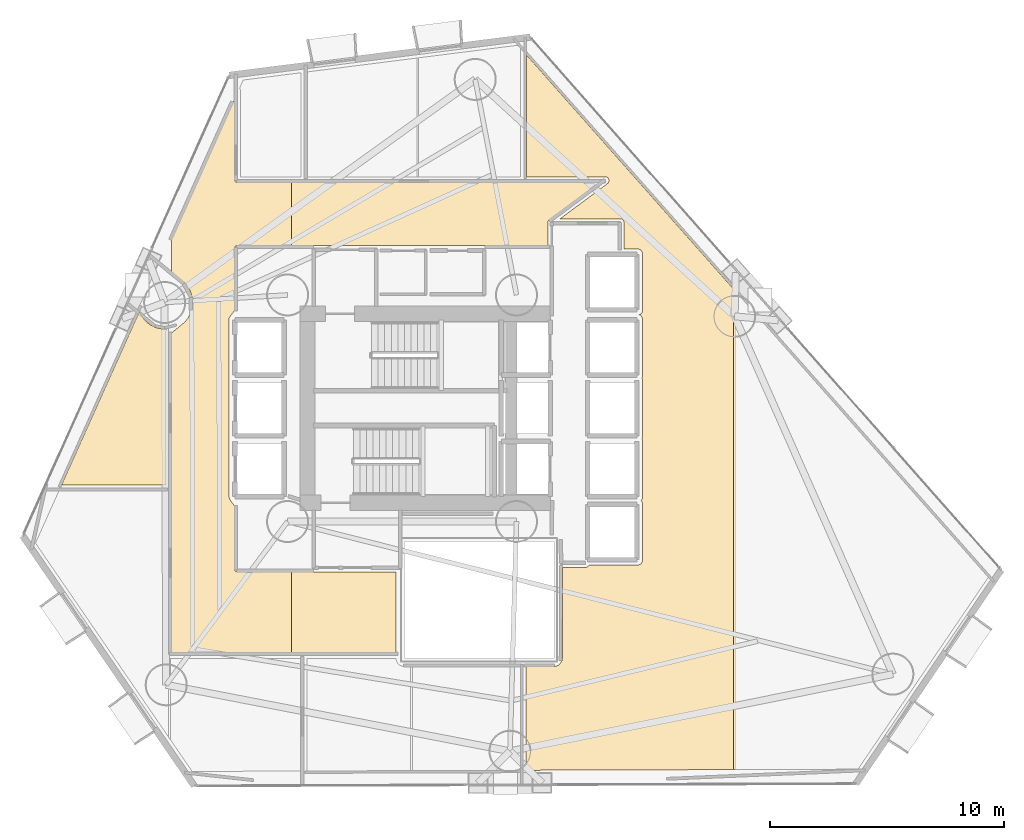
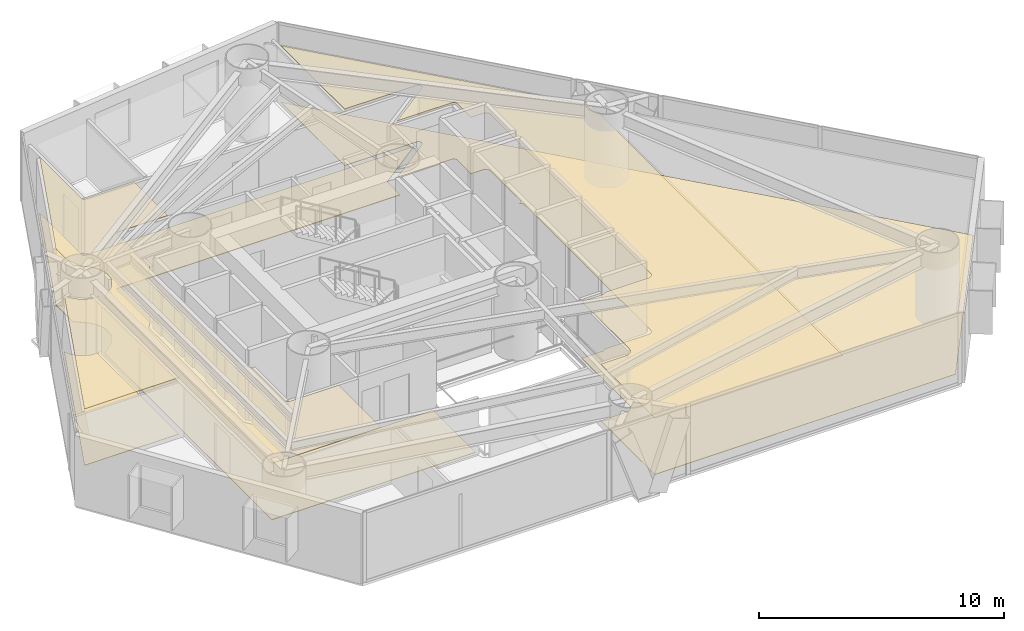
# One storey, part 20 of 22: 6 coverings.
"""IFC4 building model written with IfcOpenShell, lengths in metres."""

from ifc_helpers import new_model, si_unit, direction, frame, origin, place, context, subcontext, project, spatial, polyline, outline, extrude, material, layer, layer_set, type_object, element, save


model = new_model("IFC4")

# Units and contexts
model_context = context("Model", 3, precision=1e-05, world=origin(), true_north=direction((0.0, 1.0)))
body_context = subcontext(model_context, "Body", "Model", "MODEL_VIEW")
ifc_project = project(units=[si_unit("LENGTHUNIT", "METRE"), si_unit("AREAUNIT", "SQUARE_METRE"), si_unit("VOLUMEUNIT", "CUBIC_METRE"), si_unit("PLANEANGLEUNIT", "RADIAN"), si_unit("MASSUNIT", "GRAM", prefix="KILO")], contexts=[model_context])

# Site, building, storey
site_placement = place(None, origin())
site = spatial("IfcSite", under=ifc_project, at=site_placement, CompositionType="ELEMENT")
building_placement = place(site_placement, origin())
building = spatial("IfcBuilding", under=site, at=building_placement, Name="Qianvela Tower", CompositionType="ELEMENT")
storey_placement = place(building_placement, frame((0.0, 0.0, 40.5)))
storey = spatial("IfcBuildingStorey", under=building, at=storey_placement, Name="L09", CompositionType="ELEMENT", Elevation=40.5)

# Coverings
ifc_material_1 = material(Name="Perforated Mineral Acoustic Ceiling Tile")
ifc_layer_1 = layer(ifc_material_1, 0.02490234375)
ifc_layer_set_1 = layer_set([ifc_layer_1], Name="Perforated Mineral Acoustic Ceiling Tile")
covering_type_1 = type_object("IfcCoveringType", Name="COV-CEIL-ACOUSTIC-25", PredefinedType="CEILING", material=ifc_layer_set_1)
covering_1_placement = place(storey_placement, frame((0.0, 0.0, 2.81494140625)))
element("IfcCovering", 1, at=covering_1_placement, inside=storey, type_object=covering_type_1, Name="L09 Acoustic Ceiling Bay 1 L09 Floor Corridor", PredefinedType="CEILING", context=body_context, shape_type="SweptSolid", body=[
    extrude(outline(polyline([(24.514892578125, 33.462158203125), (24.512939453125, 33.4697265625), (24.44921875, 33.6796875), (24.44677734375, 33.687255859375), (24.443359375, 33.6943359375), (24.33984375, 33.887939453125), (24.335693359375, 33.894775390625), (24.3310546875, 33.90087890625), (24.19189453125, 34.07080078125), (24.1865234375, 34.076416015625), (24.1806640625, 34.081787109375), (23.635498046875, 34.529296875), (23.630126953125, 35.904541015625), (26.340087890625, 41.94580078125), (26.340087890625, 38.449951171875), (26.34033203125, 38.442138671875), (26.341552734375, 38.434326171875), (26.343505859375, 38.4267578125), (26.34619140625, 38.41943359375), (26.349365234375, 38.412353515625), (26.353515625, 38.405517578125), (26.358154296875, 38.399169921875), (26.36328125, 38.393310546875), (26.369140625, 38.38818359375), (26.37548828125, 38.383544921875), (26.38232421875, 38.37939453125), (26.389404296875, 38.376220703125), (26.396728515625, 38.373291015625), (26.404296875, 38.37158203125), (26.412109375, 38.370361328125), (26.419921875, 38.3701171875), (28.77392578125, 38.3701171875), (28.77392578125, 35.659912109375), (26.419921875, 35.659912109375), (26.412109375, 35.65966796875), (26.404296875, 35.658447265625), (26.396728515625, 35.656494140625), (26.389404296875, 35.65380859375), (26.38232421875, 35.650634765625), (26.37548828125, 35.646484375), (26.369140625, 35.641845703125), (26.36328125, 35.63671875), (26.358154296875, 35.630859375), (26.353515625, 35.62451171875), (26.349365234375, 35.61767578125), (26.34619140625, 35.610595703125), (26.343505859375, 35.603271484375), (26.341552734375, 35.595703125), (26.34033203125, 35.587890625), (26.340087890625, 35.580078125), (26.340087890625, 32.89599609375), (26.11572265625, 32.593505859375), (26.11181640625, 32.587646484375), (26.108154296875, 32.581298828125), (26.105224609375, 32.574462890625), (26.10302734375, 32.567626953125), (26.101318359375, 32.560546875), (26.100341796875, 32.55322265625), (26.10009765625, 32.5458984375), (26.10009765625, 24.89990234375), (26.100341796875, 24.89208984375), (26.1015625, 24.884521484375), (26.103515625, 24.876708984375), (26.126953125, 24.799072265625), (26.12939453125, 24.79248046875), (26.132080078125, 24.786376953125), (26.135498046875, 24.7802734375), (26.139404296875, 24.774658203125), (26.340087890625, 24.50390625), (26.340087890625, 21.780029296875), (26.34033203125, 21.772216796875), (26.341552734375, 21.764404296875), (26.343505859375, 21.7568359375), (26.34619140625, 21.74951171875), (26.349365234375, 21.7421875), (26.353515625, 21.735595703125), (26.358154296875, 21.729248046875), (26.36328125, 21.723388671875), (26.369140625, 21.71826171875), (26.37548828125, 21.71337890625), (26.38232421875, 21.70947265625), (26.389404296875, 21.7060546875), (26.396728515625, 21.703369140625), (26.404296875, 21.701416015625), (26.412109375, 21.700439453125), (26.419921875, 21.699951171875), (28.77392578125, 21.699951171875), (28.77392578125, 18.22998046875), (23.6298828125, 18.22998046875), (23.6298828125, 31.922119140625), (24.1806640625, 32.374267578125), (24.1865234375, 32.37939453125), (24.19189453125, 32.38525390625), (24.3310546875, 32.554931640625), (24.335693359375, 32.561279296875), (24.33984375, 32.568115234375), (24.49609375, 32.8603515625), (24.49951171875, 32.867431640625), (24.502197265625, 32.875), (24.50390625, 32.882568359375), (24.505126953125, 32.890380859375), (24.53759765625, 33.22021484375), (24.5380859375, 33.22802734375), (24.53759765625, 33.23583984375), (24.51611328125, 33.454345703125), (24.514892578125, 33.462158203125)])), origin(), (0.0, 0.0, 1.0), 0.025146484375),
])
covering_2_placement = place(storey_placement, frame((0.0, 0.0, 2.81494140625)))
element("IfcCovering", 2, at=covering_2_placement, inside=storey, type_object=covering_type_1, Name="L09 Acoustic Ceiling Bay 1 Quiet Reading Study L09-03", PredefinedType="CEILING", context=body_context, shape_type="SweptSolid", body=[
    extrude(outline(polyline([(43.722412109375, 32.739013671875), (43.729248046875, 32.74267578125), (43.73583984375, 32.746826171875), (43.741943359375, 32.751953125), (43.74755859375, 32.757568359375), (43.75244140625, 32.763427734375), (43.7568359375, 32.77001953125), (43.760498046875, 32.777099609375), (43.763427734375, 32.7841796875), (43.79541015625, 32.873046875), (43.79736328125, 32.879638671875), (43.798828125, 32.886474609375), (43.7998046875, 32.893310546875), (43.800048828125, 32.900146484375), (43.79736328125, 35.327392578125), (43.796875, 35.3359375), (43.79541015625, 35.344482421875), (43.793212890625, 35.352783203125), (43.7900390625, 35.36083984375), (43.785888671875, 35.368408203125), (43.7373046875, 35.44921875), (43.732666015625, 35.456298828125), (43.727294921875, 35.462890625), (43.72119140625, 35.46875), (43.71435546875, 35.47412109375), (43.70703125, 35.478515625), (43.699462890625, 35.482177734375), (43.624267578125, 35.51318359375), (43.616943359375, 35.515869140625), (43.609375, 35.517822265625), (43.6015625, 35.518798828125), (43.59375, 35.519287109375), (43.0, 35.52001953125), (43.010009765625, 36.6494140625), (43.009765625, 36.6572265625), (43.008544921875, 36.6650390625), (43.006591796875, 36.6728515625), (43.00390625, 36.680419921875), (43.00048828125, 36.6875), (42.99658203125, 36.6943359375), (42.947021484375, 36.768310546875), (42.9423828125, 36.774658203125), (42.937255859375, 36.780517578125), (42.931396484375, 36.78564453125), (42.925048828125, 36.790283203125), (42.91845703125, 36.79443359375), (42.911376953125, 36.7978515625), (42.904052734375, 36.80029296875), (42.896484375, 36.80224609375), (42.888671875, 36.803466796875), (42.880859375, 36.803955078125), (40.26220703125, 36.8095703125), (42.298583984375, 38.321533203125), (42.3046875, 38.32666015625), (42.310302734375, 38.332275390625), (42.315185546875, 38.33837890625), (42.319580078125, 38.34521484375), (42.323486328125, 38.352294921875), (42.35546875, 38.422119140625), (42.3583984375, 38.42919921875), (42.360595703125, 38.436279296875), (42.362060546875, 38.44384765625), (42.36279296875, 38.451416015625), (42.36279296875, 38.458984375), (42.362060546875, 38.466552734375), (42.360595703125, 38.47412109375), (42.358642578125, 38.4814453125), (42.355712890625, 38.488525390625), (42.352294921875, 38.4951171875), (42.317626953125, 38.5556640625), (42.313720703125, 38.56201171875), (42.30908203125, 38.568115234375), (42.3037109375, 38.57373046875), (42.298095703125, 38.57861328125), (42.291748046875, 38.5830078125), (42.28515625, 38.5869140625), (42.2783203125, 38.590087890625), (42.27099609375, 38.5927734375), (42.263671875, 38.594482421875), (42.256103515625, 38.595703125), (42.24853515625, 38.595947265625), (38.822021484375, 38.609619140625), (38.822021484375, 43.83349609375), (47.68212890625, 33.814208984375), (47.68212890625, 13.230224609375), (38.800048828125, 13.2001953125), (38.800048828125, 17.64013671875), (40.027587890625, 17.641357421875), (40.03662109375, 17.641845703125), (40.045654296875, 17.643310546875), (40.054443359375, 17.64599609375), (40.1826171875, 17.69189453125), (40.189208984375, 17.694580078125), (40.195556640625, 17.697998046875), (40.20166015625, 17.701904296875), (40.207275390625, 17.706298828125), (40.212646484375, 17.711181640625), (40.21728515625, 17.71630859375), (40.320556640625, 17.842041015625), (40.3251953125, 17.848388671875), (40.3291015625, 17.85498046875), (40.33251953125, 17.8623046875), (40.335205078125, 17.86962890625), (40.337158203125, 17.877197265625), (40.3583984375, 17.984375), (40.359619140625, 17.9921875), (40.360107421875, 18.0), (40.360107421875, 21.889892578125), (41.367919921875, 21.890380859375), (41.375732421875, 21.890869140625), (41.383544921875, 21.891845703125), (41.39111328125, 21.893798828125), (41.3984375, 21.896484375), (41.405517578125, 21.89990234375), (41.45947265625, 21.9287109375), (41.46630859375, 21.932861328125), (41.472900390625, 21.9375), (41.478759765625, 21.943115234375), (41.48388671875, 21.948974609375), (41.48876953125, 21.955322265625), (41.492919921875, 21.96240234375), (41.49609375, 21.969482421875), (41.498779296875, 21.97705078125), (41.49951171875, 21.97998046875), (43.59375, 21.980712890625), (43.6025390625, 21.981201171875), (43.611328125, 21.982666015625), (43.619873046875, 21.985107421875), (43.6279296875, 21.98828125), (43.713134765625, 22.02880859375), (43.72021484375, 22.032470703125), (43.726806640625, 22.03662109375), (43.732666015625, 22.041748046875), (43.73828125, 22.04736328125), (43.743408203125, 22.05322265625), (43.74755859375, 22.059814453125), (43.751220703125, 22.06689453125), (43.79150390625, 22.152099609375), (43.794921875, 22.16015625), (43.79736328125, 22.168701171875), (43.798828125, 22.177490234375), (43.79931640625, 22.186279296875), (43.800048828125, 24.60009765625), (43.7998046875, 24.606689453125), (43.798828125, 24.61376953125), (43.79736328125, 24.620361328125), (43.79541015625, 24.626953125), (43.763427734375, 24.7158203125), (43.760498046875, 24.722900390625), (43.7568359375, 24.72998046875), (43.75244140625, 24.736572265625), (43.74755859375, 24.742431640625), (43.741943359375, 24.748046875), (43.73583984375, 24.753173828125), (43.735107421875, 24.753662109375), (43.7783203125, 24.811767578125), (43.782958984375, 24.81884765625), (43.786865234375, 24.826416015625), (43.789794921875, 24.834228515625), (43.7919921875, 24.84228515625), (43.79345703125, 24.8505859375), (43.7939453125, 24.859130859375), (43.800048828125, 27.2998046875), (43.799560546875, 27.307861328125), (43.79833984375, 27.315673828125), (43.79638671875, 27.323486328125), (43.793701171875, 27.3310546875), (43.7646484375, 27.39990234375), (43.793701171875, 27.468994140625), (43.79638671875, 27.476318359375), (43.79833984375, 27.484130859375), (43.799560546875, 27.491943359375), (43.800048828125, 27.5), (43.800048828125, 29.89990234375), (43.799560546875, 29.907958984375), (43.79833984375, 29.915771484375), (43.79638671875, 29.923583984375), (43.793701171875, 29.93115234375), (43.7646484375, 30.0), (43.793701171875, 30.06884765625), (43.79638671875, 30.076416015625), (43.79833984375, 30.084228515625), (43.799560546875, 30.092041015625), (43.800048828125, 30.10009765625), (43.79736328125, 32.52734375), (43.796875, 32.535888671875), (43.79541015625, 32.54443359375), (43.793212890625, 32.552734375), (43.7900390625, 32.560791015625), (43.785888671875, 32.568359375), (43.7373046875, 32.6494140625), (43.732666015625, 32.656494140625), (43.727294921875, 32.662841796875), (43.72119140625, 32.668701171875), (43.71435546875, 32.674072265625), (43.70703125, 32.678466796875), (43.699462890625, 32.68212890625), (43.647705078125, 32.70361328125), (43.722412109375, 32.739013671875)])), origin(), (0.0, 0.0, 1.0), 0.025146484375),
])
covering_3_placement = place(storey_placement, frame((0.0, 0.0, 2.81494140625)))
element("IfcCovering", 3, at=covering_3_placement, inside=storey, type_object=covering_type_1, Name="L09 Acoustic Ceiling Print Copy Kiosk L09-06", PredefinedType="CEILING", context=body_context, shape_type="SweptSolid", body=[
    extrude(outline(polyline([(23.448486328125, 32.083740234375), (23.442626953125, 32.07861328125), (23.4375, 32.07275390625), (23.4326171875, 32.06640625), (23.4287109375, 32.0595703125), (23.39990234375, 32.005615234375), (23.396484375, 31.99853515625), (23.393798828125, 31.9912109375), (23.391845703125, 31.9833984375), (23.390869140625, 31.975830078125), (23.390380859375, 31.968017578125), (23.389892578125, 25.422119140625), (18.927978515625, 25.422119140625), (22.266357421875, 32.864501953125), (22.281005859375, 32.8037109375), (22.28271484375, 32.797119140625), (22.28515625, 32.790771484375), (22.2880859375, 32.78466796875), (22.385986328125, 32.601318359375), (22.39013671875, 32.594482421875), (22.394775390625, 32.58837890625), (22.526611328125, 32.427734375), (22.531982421875, 32.421875), (22.53759765625, 32.41650390625), (22.6982421875, 32.284912109375), (22.70458984375, 32.280029296875), (22.71142578125, 32.276123046875), (22.89453125, 32.177978515625), (22.901611328125, 32.1748046875), (22.9091796875, 32.172119140625), (23.10791015625, 32.11181640625), (23.115478515625, 32.10986328125), (23.123291015625, 32.10888671875), (23.330078125, 32.08837890625), (23.337890625, 32.087890625), (23.345703125, 32.08837890625), (23.468994140625, 32.1005859375), (23.448486328125, 32.083740234375)])), origin(), (0.0, 0.0, 1.0), 0.025146484375),
])
ifc_material_2 = material(Name="Engineered Acoustic Oak Timber Flooring", Category="wood")
ifc_layer_2 = layer(ifc_material_2, 0.02001953125)
ifc_layer_set_2 = layer_set([ifc_layer_2], Name="Engineered Acoustic Oak Timber Flooring")
covering_type_2 = type_object("IfcCoveringType", Name="COV-FLOOR-OAK-20", PredefinedType="FLOORING", material=ifc_layer_set_2)
covering_4_placement = place(storey_placement, origin())
element("IfcCovering", 4, at=covering_4_placement, inside=storey, type_object=covering_type_2, Name="L09 Finish Flooring Quiet Reading Study L09-03", PredefinedType="FLOORING", context=body_context, shape_type="SweptSolid", body=[
    extrude(outline(polyline([(43.647705078125, 32.70361328125), (43.722412109375, 32.739013671875), (43.729248046875, 32.74267578125), (43.73583984375, 32.746826171875), (43.741943359375, 32.751953125), (43.74755859375, 32.757568359375), (43.75244140625, 32.763427734375), (43.7568359375, 32.77001953125), (43.760498046875, 32.777099609375), (43.763427734375, 32.7841796875), (43.79541015625, 32.873046875), (43.79736328125, 32.879638671875), (43.798828125, 32.886474609375), (43.7998046875, 32.893310546875), (43.800048828125, 32.900146484375), (43.79736328125, 35.327392578125), (43.796875, 35.3359375), (43.79541015625, 35.344482421875), (43.793212890625, 35.352783203125), (43.7900390625, 35.36083984375), (43.785888671875, 35.368408203125), (43.7373046875, 35.44921875), (43.732666015625, 35.456298828125), (43.727294921875, 35.462890625), (43.72119140625, 35.46875), (43.71435546875, 35.47412109375), (43.70703125, 35.478515625), (43.699462890625, 35.482177734375), (43.624267578125, 35.51318359375), (43.616943359375, 35.515869140625), (43.609375, 35.517822265625), (43.6015625, 35.518798828125), (43.59375, 35.519287109375), (43.0, 35.52001953125), (43.010009765625, 36.6494140625), (43.009765625, 36.6572265625), (43.008544921875, 36.6650390625), (43.006591796875, 36.6728515625), (43.00390625, 36.680419921875), (43.00048828125, 36.6875), (42.99658203125, 36.6943359375), (42.947021484375, 36.768310546875), (42.9423828125, 36.774658203125), (42.937255859375, 36.780517578125), (42.931396484375, 36.78564453125), (42.925048828125, 36.790283203125), (42.91845703125, 36.79443359375), (42.911376953125, 36.7978515625), (42.904052734375, 36.80029296875), (42.896484375, 36.80224609375), (42.888671875, 36.803466796875), (42.880859375, 36.803955078125), (40.26220703125, 36.8095703125), (42.298583984375, 38.321533203125), (42.3046875, 38.32666015625), (42.310302734375, 38.332275390625), (42.315185546875, 38.33837890625), (42.319580078125, 38.34521484375), (42.323486328125, 38.352294921875), (42.35546875, 38.422119140625), (42.3583984375, 38.42919921875), (42.360595703125, 38.436279296875), (42.362060546875, 38.44384765625), (42.36279296875, 38.451416015625), (42.36279296875, 38.458984375), (42.362060546875, 38.466552734375), (42.360595703125, 38.47412109375), (42.358642578125, 38.4814453125), (42.355712890625, 38.488525390625), (42.352294921875, 38.4951171875), (42.317626953125, 38.5556640625), (42.313720703125, 38.56201171875), (42.30908203125, 38.568115234375), (42.3037109375, 38.57373046875), (42.298095703125, 38.57861328125), (42.291748046875, 38.5830078125), (42.28515625, 38.5869140625), (42.2783203125, 38.590087890625), (42.27099609375, 38.5927734375), (42.263671875, 38.594482421875), (42.256103515625, 38.595703125), (42.24853515625, 38.595947265625), (38.822021484375, 38.609619140625), (38.822021484375, 43.83349609375), (58.601806640625, 21.46630859375), (53.0205078125, 13.248291015625), (38.800048828125, 13.2001953125), (38.800048828125, 17.64013671875), (40.027587890625, 17.641357421875), (40.03662109375, 17.641845703125), (40.045654296875, 17.643310546875), (40.054443359375, 17.64599609375), (40.1826171875, 17.69189453125), (40.189208984375, 17.694580078125), (40.195556640625, 17.697998046875), (40.20166015625, 17.701904296875), (40.207275390625, 17.706298828125), (40.212646484375, 17.711181640625), (40.21728515625, 17.71630859375), (40.320556640625, 17.842041015625), (40.3251953125, 17.848388671875), (40.3291015625, 17.85498046875), (40.33251953125, 17.8623046875), (40.335205078125, 17.86962890625), (40.337158203125, 17.877197265625), (40.3583984375, 17.984375), (40.359619140625, 17.9921875), (40.360107421875, 18.0), (40.360107421875, 21.889892578125), (41.367919921875, 21.890380859375), (41.375732421875, 21.890869140625), (41.383544921875, 21.891845703125), (41.39111328125, 21.893798828125), (41.3984375, 21.896484375), (41.405517578125, 21.89990234375), (41.45947265625, 21.9287109375), (41.46630859375, 21.932861328125), (41.472900390625, 21.9375), (41.478759765625, 21.943115234375), (41.48388671875, 21.948974609375), (41.48876953125, 21.955322265625), (41.492919921875, 21.96240234375), (41.49609375, 21.969482421875), (41.498779296875, 21.97705078125), (41.49951171875, 21.97998046875), (43.59375, 21.980712890625), (43.6025390625, 21.981201171875), (43.611328125, 21.982666015625), (43.619873046875, 21.985107421875), (43.6279296875, 21.98828125), (43.713134765625, 22.02880859375), (43.72021484375, 22.032470703125), (43.726806640625, 22.03662109375), (43.732666015625, 22.041748046875), (43.73828125, 22.04736328125), (43.743408203125, 22.05322265625), (43.74755859375, 22.059814453125), (43.751220703125, 22.06689453125), (43.79150390625, 22.152099609375), (43.794921875, 22.16015625), (43.79736328125, 22.168701171875), (43.798828125, 22.177490234375), (43.79931640625, 22.186279296875), (43.800048828125, 24.60009765625), (43.7998046875, 24.606689453125), (43.798828125, 24.61376953125), (43.79736328125, 24.620361328125), (43.79541015625, 24.626953125), (43.763427734375, 24.7158203125), (43.760498046875, 24.722900390625), (43.7568359375, 24.72998046875), (43.75244140625, 24.736572265625), (43.74755859375, 24.742431640625), (43.741943359375, 24.748046875), (43.73583984375, 24.753173828125), (43.735107421875, 24.753662109375), (43.7783203125, 24.811767578125), (43.782958984375, 24.81884765625), (43.786865234375, 24.826416015625), (43.789794921875, 24.834228515625), (43.7919921875, 24.84228515625), (43.79345703125, 24.8505859375), (43.7939453125, 24.859130859375), (43.800048828125, 27.2998046875), (43.799560546875, 27.307861328125), (43.79833984375, 27.315673828125), (43.79638671875, 27.323486328125), (43.793701171875, 27.3310546875), (43.7646484375, 27.39990234375), (43.793701171875, 27.468994140625), (43.79638671875, 27.476318359375), (43.79833984375, 27.484130859375), (43.799560546875, 27.491943359375), (43.800048828125, 27.5), (43.800048828125, 29.89990234375), (43.799560546875, 29.907958984375), (43.79833984375, 29.915771484375), (43.79638671875, 29.923583984375), (43.793701171875, 29.93115234375), (43.7646484375, 30.0), (43.793701171875, 30.06884765625), (43.79638671875, 30.076416015625), (43.79833984375, 30.084228515625), (43.799560546875, 30.092041015625), (43.800048828125, 30.10009765625), (43.79736328125, 32.52734375), (43.796875, 32.535888671875), (43.79541015625, 32.54443359375), (43.793212890625, 32.552734375), (43.7900390625, 32.560791015625), (43.785888671875, 32.568359375), (43.7373046875, 32.6494140625), (43.732666015625, 32.656494140625), (43.727294921875, 32.662841796875), (43.72119140625, 32.668701171875), (43.71435546875, 32.674072265625), (43.70703125, 32.678466796875), (43.699462890625, 32.68212890625), (43.647705078125, 32.70361328125)])), origin(), (0.0, 0.0, 1.0), 0.02001953125),
])
covering_5_placement = place(storey_placement, origin())
element("IfcCovering", 5, at=covering_5_placement, inside=storey, type_object=covering_type_2, Name="L09 Finish Flooring Print Copy Kiosk L09-06", PredefinedType="FLOORING", context=body_context, shape_type="SweptSolid", body=[
    extrude(outline(polyline([(23.448486328125, 32.083740234375), (23.442626953125, 32.07861328125), (23.4375, 32.07275390625), (23.4326171875, 32.06640625), (23.4287109375, 32.0595703125), (23.39990234375, 32.005615234375), (23.396484375, 31.99853515625), (23.393798828125, 31.9912109375), (23.391845703125, 31.9833984375), (23.390869140625, 31.975830078125), (23.390380859375, 31.968017578125), (23.389892578125, 25.422119140625), (18.927978515625, 25.422119140625), (22.266357421875, 32.864501953125), (22.281005859375, 32.8037109375), (22.28271484375, 32.797119140625), (22.28515625, 32.790771484375), (22.2880859375, 32.78466796875), (22.385986328125, 32.601318359375), (22.39013671875, 32.594482421875), (22.394775390625, 32.58837890625), (22.526611328125, 32.427734375), (22.531982421875, 32.421875), (22.53759765625, 32.41650390625), (22.6982421875, 32.284912109375), (22.70458984375, 32.280029296875), (22.71142578125, 32.276123046875), (22.89453125, 32.177978515625), (22.901611328125, 32.1748046875), (22.9091796875, 32.172119140625), (23.10791015625, 32.11181640625), (23.115478515625, 32.10986328125), (23.123291015625, 32.10888671875), (23.330078125, 32.08837890625), (23.337890625, 32.087890625), (23.345703125, 32.08837890625), (23.468994140625, 32.1005859375), (23.448486328125, 32.083740234375)])), origin(), (0.0, 0.0, 1.0), 0.02001953125),
])
ifc_material_3 = material(Name="Honed Stone Terrazzo Flooring", Category="masonry")
ifc_layer_3 = layer(ifc_material_3, 0.030029296875)
ifc_layer_set_3 = layer_set([ifc_layer_3], Name="Honed Stone Terrazzo Flooring")
covering_type_3 = type_object("IfcCoveringType", Name="COV-FLOOR-TERRAZZO-30", PredefinedType="FLOORING", material=ifc_layer_set_3)
covering_6_placement = place(storey_placement, origin())
element("IfcCovering", 6, at=covering_6_placement, inside=storey, type_object=covering_type_3, Name="L09 Finish Flooring L09 Floor Corridor", PredefinedType="FLOORING", context=body_context, shape_type="SweptSolid", body=[
    extrude(outline(polyline([(24.51611328125, 33.454345703125), (24.514892578125, 33.462158203125), (24.512939453125, 33.4697265625), (24.44921875, 33.6796875), (24.44677734375, 33.687255859375), (24.443359375, 33.6943359375), (24.33984375, 33.887939453125), (24.335693359375, 33.894775390625), (24.3310546875, 33.90087890625), (24.19189453125, 34.07080078125), (24.1865234375, 34.076416015625), (24.1806640625, 34.081787109375), (23.635498046875, 34.529296875), (23.630126953125, 35.904541015625), (26.340087890625, 41.94580078125), (26.340087890625, 38.449951171875), (26.34033203125, 38.442138671875), (26.341552734375, 38.434326171875), (26.343505859375, 38.4267578125), (26.34619140625, 38.41943359375), (26.349365234375, 38.412353515625), (26.353515625, 38.405517578125), (26.358154296875, 38.399169921875), (26.36328125, 38.393310546875), (26.369140625, 38.38818359375), (26.37548828125, 38.383544921875), (26.38232421875, 38.37939453125), (26.389404296875, 38.376220703125), (26.396728515625, 38.373291015625), (26.404296875, 38.37158203125), (26.412109375, 38.370361328125), (26.419921875, 38.3701171875), (41.961181640625, 38.3701171875), (39.784423828125, 36.753662109375), (39.778076171875, 36.748291015625), (39.772216796875, 36.742431640625), (39.76708984375, 36.736083984375), (39.7626953125, 36.729248046875), (39.759033203125, 36.721923828125), (39.756103515625, 36.71435546875), (39.75390625, 36.70654296875), (39.752685546875, 36.698486328125), (39.752197265625, 36.690185546875), (39.739013671875, 35.659912109375), (26.419921875, 35.659912109375), (26.412109375, 35.65966796875), (26.404296875, 35.658447265625), (26.396728515625, 35.656494140625), (26.389404296875, 35.65380859375), (26.38232421875, 35.650634765625), (26.37548828125, 35.646484375), (26.369140625, 35.641845703125), (26.36328125, 35.63671875), (26.358154296875, 35.630859375), (26.353515625, 35.62451171875), (26.349365234375, 35.61767578125), (26.34619140625, 35.610595703125), (26.343505859375, 35.603271484375), (26.341552734375, 35.595703125), (26.34033203125, 35.587890625), (26.340087890625, 35.580078125), (26.340087890625, 32.89599609375), (26.11572265625, 32.593505859375), (26.11181640625, 32.587646484375), (26.108154296875, 32.581298828125), (26.105224609375, 32.574462890625), (26.10302734375, 32.567626953125), (26.101318359375, 32.560546875), (26.100341796875, 32.55322265625), (26.10009765625, 32.5458984375), (26.10009765625, 24.89990234375), (26.100341796875, 24.89208984375), (26.1015625, 24.884521484375), (26.103515625, 24.876708984375), (26.126953125, 24.799072265625), (26.12939453125, 24.79248046875), (26.132080078125, 24.786376953125), (26.135498046875, 24.7802734375), (26.139404296875, 24.774658203125), (26.340087890625, 24.50390625), (26.340087890625, 21.780029296875), (26.34033203125, 21.772216796875), (26.341552734375, 21.764404296875), (26.343505859375, 21.7568359375), (26.34619140625, 21.74951171875), (26.349365234375, 21.7421875), (26.353515625, 21.735595703125), (26.358154296875, 21.729248046875), (26.36328125, 21.723388671875), (26.369140625, 21.71826171875), (26.37548828125, 21.71337890625), (26.38232421875, 21.70947265625), (26.389404296875, 21.7060546875), (26.396728515625, 21.703369140625), (26.404296875, 21.701416015625), (26.412109375, 21.700439453125), (26.419921875, 21.699951171875), (33.239990234375, 21.699951171875), (33.239990234375, 18.22998046875), (23.6298828125, 18.22998046875), (23.6298828125, 31.922119140625), (24.1806640625, 32.374267578125), (24.1865234375, 32.37939453125), (24.19189453125, 32.38525390625), (24.3310546875, 32.554931640625), (24.335693359375, 32.561279296875), (24.33984375, 32.568115234375), (24.49609375, 32.8603515625), (24.49951171875, 32.867431640625), (24.502197265625, 32.875), (24.50390625, 32.882568359375), (24.505126953125, 32.890380859375), (24.53759765625, 33.22021484375), (24.5380859375, 33.22802734375), (24.53759765625, 33.23583984375), (24.51611328125, 33.454345703125)])), origin(), (0.0, 0.0, 1.0), 0.030029296875),
])

save(model, "model.ifc")
